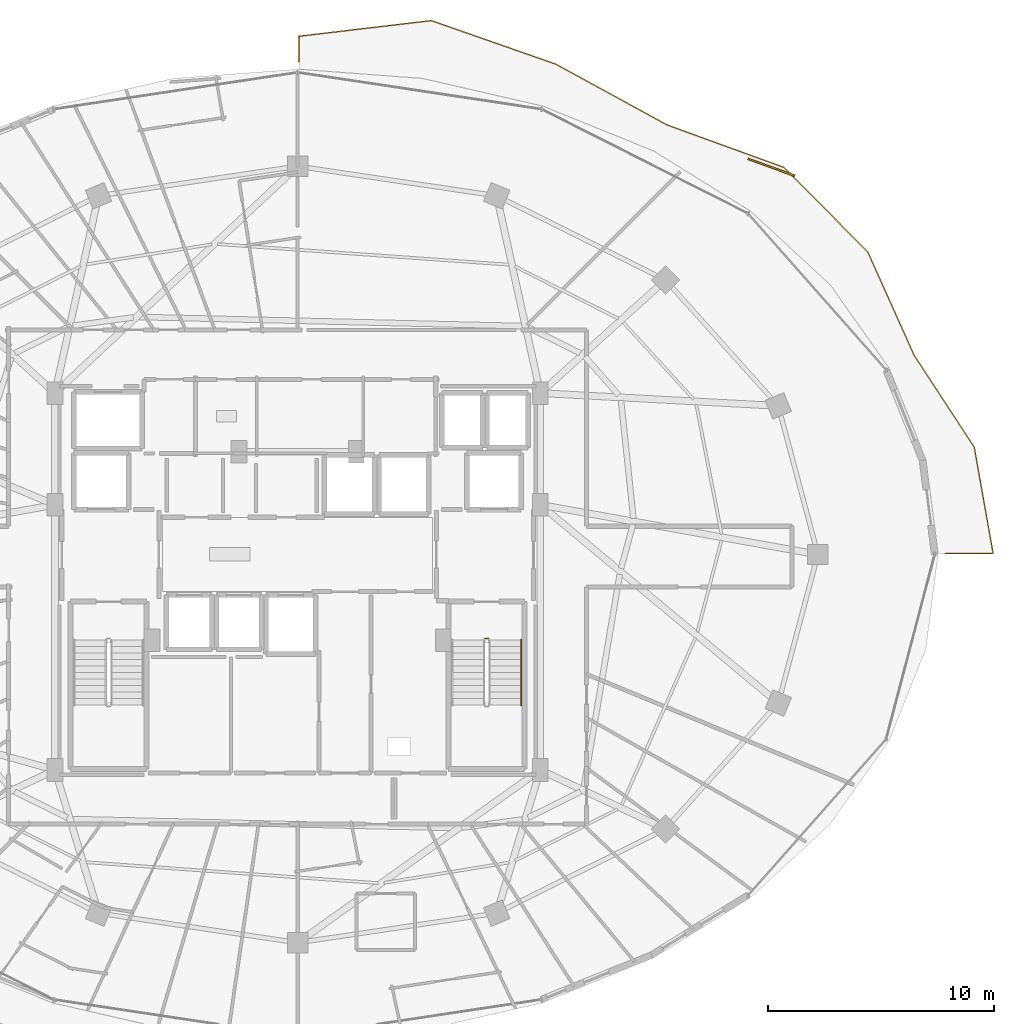
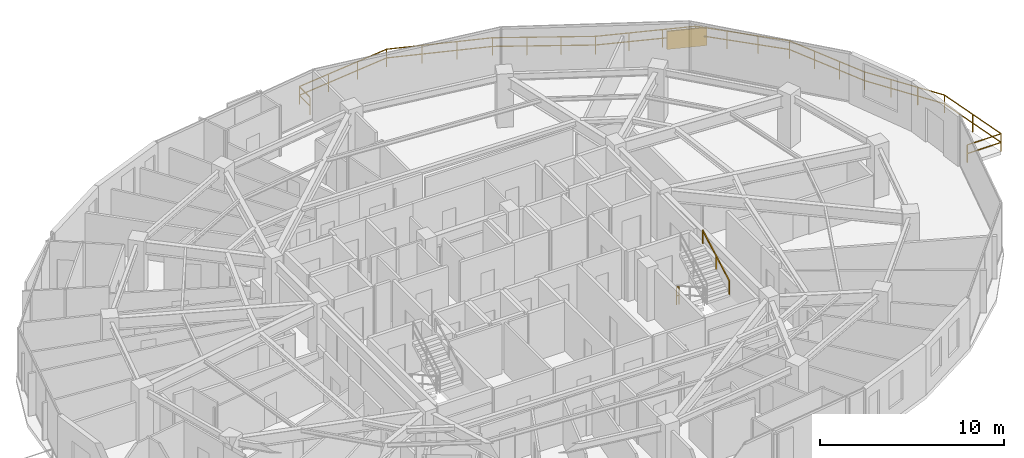
# One storey, part 32 of 33: 4 railings, 1 shading device.
"""IFC4 building model written with IfcOpenShell, lengths in metres."""

from ifc_helpers import new_model, si_unit, direction, frame, origin, origin_2d, place, context, subcontext, project, spatial, rectangle, extrude, material, type_object, element, save


model = new_model("IFC4")

# Units and contexts
model_context = context("Model", 3, precision=1e-05, world=origin(), true_north=direction((0.0, 1.0)))
body_context = subcontext(model_context, "Body", "Model", "MODEL_VIEW")
ifc_project = project(units=[si_unit("LENGTHUNIT", "METRE"), si_unit("AREAUNIT", "SQUARE_METRE"), si_unit("VOLUMEUNIT", "CUBIC_METRE"), si_unit("PLANEANGLEUNIT", "RADIAN"), si_unit("MASSUNIT", "GRAM", prefix="KILO")], contexts=[model_context])

# Site, building, storey
site_placement = place(None, origin())
site = spatial("IfcSite", under=ifc_project, at=site_placement, CompositionType="ELEMENT")
building_placement = place(site_placement, origin())
building = spatial("IfcBuilding", under=site, at=building_placement, Name="Vorneva Point Tower", CompositionType="ELEMENT")
storey_placement = place(building_placement, frame((0.0, 0.0, 203.64990234375)))
storey = spatial("IfcBuildingStorey", under=building, at=storey_placement, Name="L55", CompositionType="ELEMENT", Elevation=203.64990234375)

# Railings
ifc_material_1 = material(Name="Pale anodised aluminium", Category="aluminium")
railing_type_1 = type_object("IfcRailingType", Name="RL-BAL-1200", PredefinedType="BALUSTRADE", material=ifc_material_1)
railing_1_placement = place(storey_placement, frame((38.050048828125, 48.9609375, 0.0)))
element("IfcRailing", 1, at=railing_1_placement, inside=storey, type_object=railing_type_1, Name="L55 Wave Balcony Balustrade NE.1", PredefinedType="BALUSTRADE", context=body_context, shape_type="SweptSolid", body=[
    extrude(rectangle(XDim=0.048095703125, YDim=0.048095703125, at=origin_2d()), frame((0.0, 0.0, 1.17578125), z_axis=(0.0, -1.0, 0.0), x_axis=(1.0, 0.0, 0.0)), (0.0, 0.0, 1.0), 1.143798828125),
    extrude(rectangle(XDim=0.048095703125, YDim=0.048095703125, at=origin_2d()), frame((0.0, 0.0, 0.60009765625), z_axis=(0.0, -1.0, 0.0), x_axis=(1.0, 0.0, 0.0)), (0.0, 0.0, 1.0), 1.143798828125),
    extrude(rectangle(XDim=0.0419921875, YDim=0.0419921875, at=origin_2d()), origin(), (0.0, 0.0, 1.0), 1.15185546875),
    extrude(rectangle(XDim=0.0419921875, YDim=0.0419921875, at=origin_2d()), frame((0.0, -1.143798828125, 0.0)), (0.0, 0.0, 1.0), 1.15185546875),
])
railing_2_placement = place(storey_placement, frame((66.6962890625, 26.050048828125, 0.0)))
element("IfcRailing", 2, at=railing_2_placement, inside=storey, type_object=railing_type_1, Name="L55 Wave Balcony Balustrade NE.2", PredefinedType="BALUSTRADE", context=body_context, shape_type="SweptSolid", body=[
    extrude(rectangle(XDim=0.048095703125, YDim=0.048095703125, at=origin_2d()), frame((0.0, 0.0, 1.17578125), z_axis=(1.0, 0.0, 0.0), x_axis=(0.0, 1.0, 0.0)), (0.0, 0.0, 1.0), 2.119873046875),
    extrude(rectangle(XDim=0.048095703125, YDim=0.048095703125, at=origin_2d()), frame((0.0, 0.0, 0.60009765625), z_axis=(1.0, 0.0, 0.0), x_axis=(0.0, 1.0, 0.0)), (0.0, 0.0, 1.0), 2.119873046875),
    extrude(rectangle(XDim=0.048095703125, YDim=0.048095703125, at=origin_2d()), frame((2.119873046875, 0.0, 1.17578125), z_axis=(-0.174880445962, 0.984589675763, 0.0), x_axis=(-0.984589675763, -0.174880445962, 0.0)), (0.0, 0.0, 1.0), 4.781494140625),
    extrude(rectangle(XDim=0.048095703125, YDim=0.048095703125, at=origin_2d()), frame((2.119873046875, 0.0, 0.60009765625), z_axis=(-0.174880445962, 0.984589675763, 0.0), x_axis=(-0.984589675763, -0.174880445962, 0.0)), (0.0, 0.0, 1.0), 4.781494140625),
    extrude(rectangle(XDim=0.048095703125, YDim=0.048095703125, at=origin_2d()), frame((1.28369140625, 4.707763671875, 1.17578125), z_axis=(-0.547637451213, 0.836715735497, 0.0), x_axis=(-0.836715735497, -0.547637451213, 0.0)), (0.0, 0.0, 1.0), 4.86376953125),
    extrude(rectangle(XDim=0.048095703125, YDim=0.048095703125, at=origin_2d()), frame((1.28369140625, 4.707763671875, 0.60009765625), z_axis=(-0.547637451213, 0.836715735497, 0.0), x_axis=(-0.836715735497, -0.547637451213, 0.0)), (0.0, 0.0, 1.0), 4.86376953125),
    extrude(rectangle(XDim=0.048095703125, YDim=0.048095703125, at=origin_2d()), frame((-1.3798828125, 8.77734375, 1.17578125), z_axis=(-0.409188443732, 0.912449898634, 0.0), x_axis=(-0.912449898634, -0.409188443732, 0.0)), (0.0, 0.0, 1.0), 5.0244140625),
    extrude(rectangle(XDim=0.048095703125, YDim=0.048095703125, at=origin_2d()), frame((-1.3798828125, 8.77734375, 0.60009765625), z_axis=(-0.409188443732, 0.912449898634, 0.0), x_axis=(-0.912449898634, -0.409188443732, 0.0)), (0.0, 0.0, 1.0), 5.0244140625),
    extrude(rectangle(XDim=0.048095703125, YDim=0.048095703125, at=origin_2d()), frame((-3.435791015625, 13.36181640625, 1.17578125), z_axis=(-0.70488056619, 0.709326009256, 0.0), x_axis=(-0.709326009256, -0.70488056619, 0.0)), (0.0, 0.0, 1.0), 5.272216796875),
    extrude(rectangle(XDim=0.048095703125, YDim=0.048095703125, at=origin_2d()), frame((-3.435791015625, 13.36181640625, 0.60009765625), z_axis=(-0.70488056619, 0.709326009256, 0.0), x_axis=(-0.709326009256, -0.70488056619, 0.0)), (0.0, 0.0, 1.0), 5.272216796875),
    extrude(rectangle(XDim=0.048095703125, YDim=0.048095703125, at=origin_2d()), frame((-7.152099609375, 17.1015625, 1.17578125), z_axis=(-0.939736603952, 0.341899276386, 0.0), x_axis=(-0.341899276386, -0.939736603952, 0.0)), (0.0, 0.0, 1.0), 5.521240234375),
    extrude(rectangle(XDim=0.048095703125, YDim=0.048095703125, at=origin_2d()), frame((-7.152099609375, 17.1015625, 0.60009765625), z_axis=(-0.939736603952, 0.341899276386, 0.0), x_axis=(-0.341899276386, -0.939736603952, 0.0)), (0.0, 0.0, 1.0), 5.521240234375),
    extrude(rectangle(XDim=0.048095703125, YDim=0.048095703125, at=origin_2d()), frame((-12.340576171875, 18.9892578125, 1.17578125), z_axis=(-0.877453467903, 0.479661767984, 0.0), x_axis=(-0.479661767984, -0.877453467903, 0.0)), (0.0, 0.0, 1.0), 5.597412109375),
    extrude(rectangle(XDim=0.048095703125, YDim=0.048095703125, at=origin_2d()), frame((-12.340576171875, 18.9892578125, 0.60009765625), z_axis=(-0.877453467903, 0.479661767984, 0.0), x_axis=(-0.479661767984, -0.877453467903, 0.0)), (0.0, 0.0, 1.0), 5.597412109375),
    extrude(rectangle(XDim=0.048095703125, YDim=0.048095703125, at=origin_2d()), frame((-17.251953125, 21.674072265625, 1.17578125), z_axis=(-0.943956584951, 0.330069637695, 0.0), x_axis=(-0.330069637695, -0.943956584951, 0.0)), (0.0, 0.0, 1.0), 5.8486328125),
    extrude(rectangle(XDim=0.048095703125, YDim=0.048095703125, at=origin_2d()), frame((-17.251953125, 21.674072265625, 0.60009765625), z_axis=(-0.943956584951, 0.330069637695, 0.0), x_axis=(-0.330069637695, -0.943956584951, 0.0)), (0.0, 0.0, 1.0), 5.8486328125),
    extrude(rectangle(XDim=0.048095703125, YDim=0.048095703125, at=origin_2d()), frame((-22.772705078125, 23.6044921875, 1.17578125), z_axis=(-0.99309950924, -0.11727474045, 0.0), x_axis=(0.11727474045, -0.99309950924, 0.0)), (0.0, 0.0, 1.0), 5.914306640625),
    extrude(rectangle(XDim=0.048095703125, YDim=0.048095703125, at=origin_2d()), frame((-22.772705078125, 23.6044921875, 0.60009765625), z_axis=(-0.99309950924, -0.11727474045, 0.0), x_axis=(0.11727474045, -0.99309950924, 0.0)), (0.0, 0.0, 1.0), 5.914306640625),
    extrude(rectangle(XDim=0.0419921875, YDim=0.0419921875, at=origin_2d()), origin(), (0.0, 0.0, 1.0), 1.15185546875),
    extrude(rectangle(XDim=0.0419921875, YDim=0.0419921875, at=origin_2d()), frame((2.119873046875, 0.0, 0.0)), (0.0, 0.0, 1.0), 1.15185546875),
    extrude(rectangle(XDim=0.0419921875, YDim=0.0419921875, at=origin_2d()), frame((1.70166015625, 2.35400390625, 0.0)), (0.0, 0.0, 1.0), 1.15185546875),
    extrude(rectangle(XDim=0.0419921875, YDim=0.0419921875, at=origin_2d()), frame((1.28369140625, 4.707763671875, 0.0)), (0.0, 0.0, 1.0), 1.15185546875),
    extrude(rectangle(XDim=0.0419921875, YDim=0.0419921875, at=origin_2d()), frame((0.395751953125, 6.064208984375, 0.0)), (0.0, 0.0, 1.0), 1.15185546875),
    extrude(rectangle(XDim=0.0419921875, YDim=0.0419921875, at=origin_2d()), frame((-0.491943359375, 7.4208984375, 0.0)), (0.0, 0.0, 1.0), 1.15185546875),
    extrude(rectangle(XDim=0.0419921875, YDim=0.0419921875, at=origin_2d()), frame((-1.3798828125, 8.77734375, 0.0)), (0.0, 0.0, 1.0), 1.15185546875),
    extrude(rectangle(XDim=0.0419921875, YDim=0.0419921875, at=origin_2d()), frame((-2.065185546875, 10.305419921875, 0.0)), (0.0, 0.0, 1.0), 1.15185546875),
    extrude(rectangle(XDim=0.0419921875, YDim=0.0419921875, at=origin_2d()), frame((-2.75048828125, 11.833740234375, 0.0)), (0.0, 0.0, 1.0), 1.15185546875),
    extrude(rectangle(XDim=0.0419921875, YDim=0.0419921875, at=origin_2d()), frame((-3.435791015625, 13.36181640625, 0.0)), (0.0, 0.0, 1.0), 1.15185546875),
    extrude(rectangle(XDim=0.0419921875, YDim=0.0419921875, at=origin_2d()), frame((-4.674560546875, 14.6083984375, 0.0)), (0.0, 0.0, 1.0), 1.15185546875),
    extrude(rectangle(XDim=0.0419921875, YDim=0.0419921875, at=origin_2d()), frame((-5.913330078125, 15.85498046875, 0.0)), (0.0, 0.0, 1.0), 1.15185546875),
    extrude(rectangle(XDim=0.0419921875, YDim=0.0419921875, at=origin_2d()), frame((-7.152099609375, 17.1015625, 0.0)), (0.0, 0.0, 1.0), 1.15185546875),
    extrude(rectangle(XDim=0.0419921875, YDim=0.0419921875, at=origin_2d()), frame((-8.881591796875, 17.730712890625, 0.0)), (0.0, 0.0, 1.0), 1.15185546875),
    extrude(rectangle(XDim=0.0419921875, YDim=0.0419921875, at=origin_2d()), frame((-10.611083984375, 18.360107421875, 0.0)), (0.0, 0.0, 1.0), 1.15185546875),
    extrude(rectangle(XDim=0.0419921875, YDim=0.0419921875, at=origin_2d()), frame((-12.340576171875, 18.9892578125, 0.0)), (0.0, 0.0, 1.0), 1.15185546875),
    extrude(rectangle(XDim=0.0419921875, YDim=0.0419921875, at=origin_2d()), frame((-13.977783203125, 19.88427734375, 0.0)), (0.0, 0.0, 1.0), 1.15185546875),
    extrude(rectangle(XDim=0.0419921875, YDim=0.0419921875, at=origin_2d()), frame((-15.61474609375, 20.779052734375, 0.0)), (0.0, 0.0, 1.0), 1.15185546875),
    extrude(rectangle(XDim=0.0419921875, YDim=0.0419921875, at=origin_2d()), frame((-17.251953125, 21.674072265625, 0.0)), (0.0, 0.0, 1.0), 1.15185546875),
    extrude(rectangle(XDim=0.0419921875, YDim=0.0419921875, at=origin_2d()), frame((-19.09228515625, 22.317626953125, 0.0)), (0.0, 0.0, 1.0), 1.15185546875),
    extrude(rectangle(XDim=0.0419921875, YDim=0.0419921875, at=origin_2d()), frame((-20.932373046875, 22.9609375, 0.0)), (0.0, 0.0, 1.0), 1.15185546875),
    extrude(rectangle(XDim=0.0419921875, YDim=0.0419921875, at=origin_2d()), frame((-22.772705078125, 23.6044921875, 0.0)), (0.0, 0.0, 1.0), 1.15185546875),
    extrude(rectangle(XDim=0.0419921875, YDim=0.0419921875, at=origin_2d()), frame((-24.73046875, 23.373291015625, 0.0)), (0.0, 0.0, 1.0), 1.15185546875),
    extrude(rectangle(XDim=0.0419921875, YDim=0.0419921875, at=origin_2d()), frame((-26.6884765625, 23.14208984375, 0.0)), (0.0, 0.0, 1.0), 1.15185546875),
    extrude(rectangle(XDim=0.0419921875, YDim=0.0419921875, at=origin_2d()), frame((-28.646240234375, 22.910888671875, 0.0)), (0.0, 0.0, 1.0), 1.15185546875),
])
ifc_material_2 = material(Name="Brushed stainless steel S304", Category="steel")
railing_type_2 = type_object("IfcRailingType", Name="RL-HND-920", PredefinedType="HANDRAIL", material=ifc_material_2)
railing_3_placement = place(storey_placement, frame((47.89990234375, 19.320068359375, 1.9365234375)))
element("IfcRailing", 3, at=railing_3_placement, inside=storey, type_object=railing_type_2, Name="L55 ST2 stair handrail 2", PredefinedType="HANDRAIL", context=body_context, shape_type="SweptSolid", body=[
    extrude(rectangle(XDim=0.048095703125, YDim=0.048095703125, at=origin_2d()), frame((0.0, 0.0, 0.8759765625), z_axis=(0.0, 0.873841303929, 0.486211245805), x_axis=(-1.0, 0.0, 0.0)), (0.0, 0.0, 1.0), 3.318603515625),
    extrude(rectangle(XDim=0.0419921875, YDim=0.0419921875, at=origin_2d()), origin(), (0.0, 0.0, 1.0), 0.851806640625),
    extrude(rectangle(XDim=0.0419921875, YDim=0.0419921875, at=origin_2d()), frame((0.0, 1.449951171875, 0.806640625)), (0.0, 0.0, 1.0), 0.851806640625),
    extrude(rectangle(XDim=0.0419921875, YDim=0.0419921875, at=origin_2d()), frame((0.0, 2.89990234375, 1.613525390625)), (0.0, 0.0, 1.0), 0.851806640625),
])
railing_type_3 = type_object("IfcRailingType", Name="RL-STG-1100", PredefinedType="GUARDRAIL", material=ifc_material_2)
railing_4_placement = place(storey_placement, frame((46.300048828125, 22.27001953125, 0.0)))
element("IfcRailing", 4, at=railing_4_placement, inside=storey, type_object=railing_type_3, Name="L55 ST2 stair guard 4", PredefinedType="GUARDRAIL", context=body_context, shape_type="SweptSolid", body=[
    extrude(rectangle(XDim=0.048095703125, YDim=0.048095703125, at=origin_2d()), frame((0.0, 0.0, 1.17578125), z_axis=(1.0, 0.0, 0.0), x_axis=(0.0, 1.0, 0.0)), (0.0, 0.0, 1.0), 0.14990234375),
    extrude(rectangle(XDim=0.048095703125, YDim=0.048095703125, at=origin_2d()), frame((0.0, 0.0, 0.60009765625), z_axis=(1.0, 0.0, 0.0), x_axis=(0.0, 1.0, 0.0)), (0.0, 0.0, 1.0), 0.14990234375),
    extrude(rectangle(XDim=0.0419921875, YDim=0.0419921875, at=origin_2d()), origin(), (0.0, 0.0, 1.0), 1.15185546875),
    extrude(rectangle(XDim=0.0419921875, YDim=0.0419921875, at=origin_2d()), frame((0.14990234375, 0.0, 0.0)), (0.0, 0.0, 1.0), 1.15185546875),
])

# Shading device
shading_device_type = type_object("IfcShadingDeviceType", Name="SHD-JAL-1200", PredefinedType="JALOUSIE", material=ifc_material_1)
shading_device_placement = place(storey_placement, frame((58.98876953125, 43.152587890625, -0.02001953125), z_axis=(0.0, 0.0, 1.0), x_axis=(-0.939734399416, 0.341905335662, 0.0)))
element("IfcShadingDevice", 5, at=shading_device_placement, inside=storey, type_object=shading_device_type, Name="L55 Balcony Vertical-Greenery Planter Screen NE.2", PredefinedType="JALOUSIE", context=body_context, shape_type="SweptSolid", body=[
    extrude(rectangle(XDim=2.199951171875, YDim=0.080078125, at=origin_2d()), origin(), (0.0, 0.0, 1.0), 1.199951171875),
])

save(model, "model.ifc")
